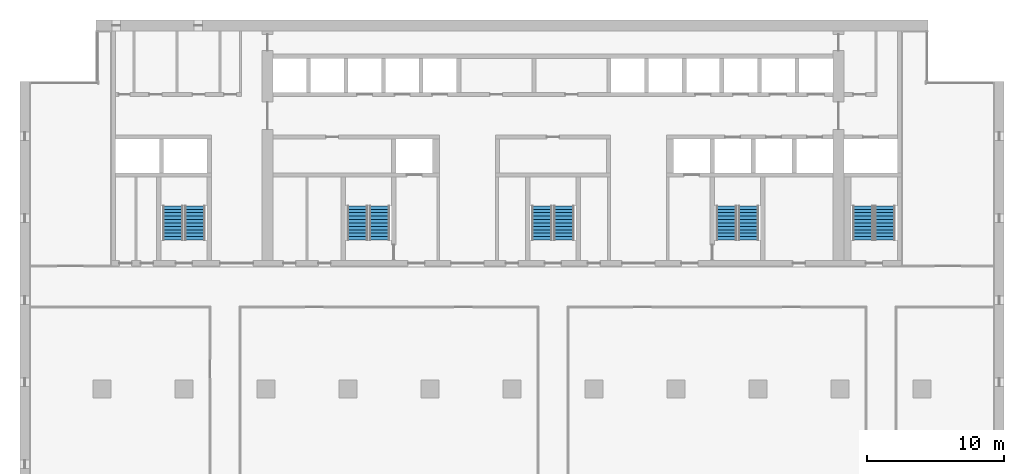
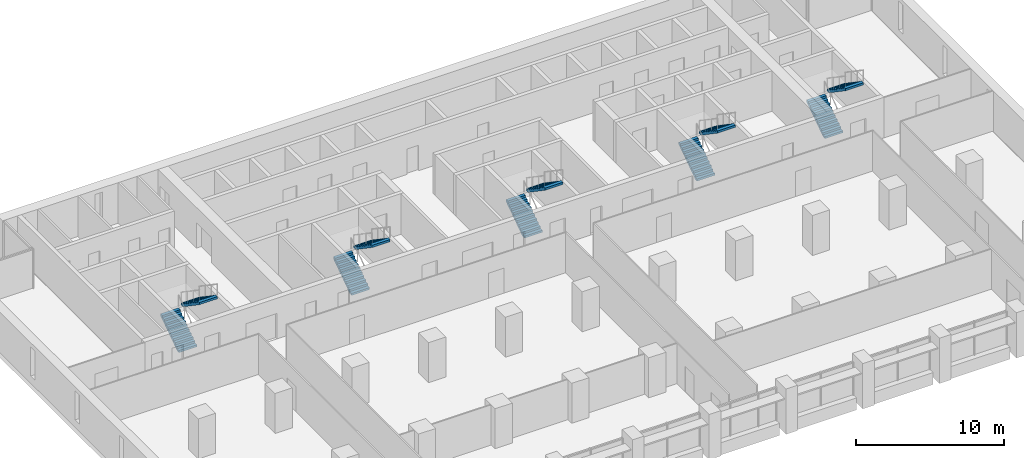
# One storey, part 12 of 15: 10 stair flights, 5 elements without a shape of their own.
"""IFC4 building model written with IfcOpenShell, lengths in metres."""

from ifc_helpers import new_model, si_unit, direction, frame, origin, place, context, subcontext, project, spatial, polyline, outline, extrude, material, type_object, element, aggregate, save


model = new_model("IFC4")

# Units and contexts
model_context = context("Model", 3, precision=1e-05, world=origin(), true_north=direction((0.0, 1.0)))
body_context = subcontext(model_context, "Body", "Model", "MODEL_VIEW")
ifc_project = project(units=[si_unit("LENGTHUNIT", "METRE"), si_unit("AREAUNIT", "SQUARE_METRE"), si_unit("VOLUMEUNIT", "CUBIC_METRE"), si_unit("PLANEANGLEUNIT", "RADIAN"), si_unit("MASSUNIT", "GRAM", prefix="KILO")], contexts=[model_context])

# Site, building, storey
site_placement = place(None, origin())
site = spatial("IfcSite", under=ifc_project, at=site_placement, CompositionType="ELEMENT")
building_placement = place(site_placement, origin())
building = spatial("IfcBuilding", under=site, at=building_placement, Name="Calvaro Tower", CompositionType="ELEMENT")
storey_placement = place(building_placement, frame((0.0, 0.0, 117.5)))
storey = spatial("IfcBuildingStorey", under=building, at=storey_placement, Name="L29", CompositionType="ELEMENT", Elevation=117.5)

# Stair, stair flights
ifc_material_1 = material(Name="Concrete C40/50", Category="concrete")
stair_type = type_object("IfcStairType", Name="Exit stair 1400 2 flights", PredefinedType="HALF_TURN_STAIR", material=ifc_material_1)
stair_1_placement = place(storey_placement, origin())
stair_1 = element("IfcStair", 1, at=stair_1_placement, inside=storey, type_object=stair_type, Name="Exit stair S1", PredefinedType="HALF_TURN_STAIR")
ifc_material_2 = material(Name="Concrete C40/50", Category="concrete")
stair_flight_type = type_object("IfcStairFlightType", Name="Stair flight", PredefinedType="STRAIGHT", material=ifc_material_2)
stair_flight_1_placement = place(storey_placement, frame((11.199951171875, 29.89990234375, 0.0), z_axis=(0.0, 0.0, 1.0), x_axis=(0.0, 1.0, 0.0)))
stair_flight_1 = element("IfcStairFlight", 2, at=stair_flight_1_placement, type_object=stair_flight_type, Name="Exit stair 1, flight 1", NumberOfRisers=11, NumberOfTreads=10, PredefinedType="STRAIGHT", RiserHeight=0.170454545, TreadLength=0.25, context=body_context, shape_type="SweptSolid", body=[
    extrude(outline(polyline([(0.0, 0.0), (0.0, 0.17041015625), (0.25, 0.17041015625), (0.25, 0.3408203125), (0.5, 0.3408203125), (0.5, 0.511474609375), (0.75, 0.511474609375), (0.75, 0.681884765625), (1.0, 0.681884765625), (1.0, 0.852294921875), (1.25, 0.852294921875), (1.25, 1.022705078125), (1.5, 1.022705078125), (1.5, 1.193115234375), (1.75, 1.193115234375), (1.75, 1.363525390625), (2.0, 1.363525390625), (2.0, 1.5341796875), (2.25, 1.5341796875), (2.25, 1.70458984375), (2.5, 1.70458984375), (2.5, 1.875), (2.5, 1.523193359375), (0.26611328125, 0.0), (0.0, 0.0)])), frame((0.0, 0.699951171875, 0.0), z_axis=(0.0, -1.0, 0.0), x_axis=(1.0, 0.0, 0.0)), (0.0, 0.0, 1.0), 1.39990234375),
])
stair_flight_2_placement = place(storey_placement, frame((12.800048828125, 32.39990234375, 1.875), z_axis=(0.0, 0.0, 1.0), x_axis=(0.0, -1.0, 0.0)))
stair_flight_2 = element("IfcStairFlight", 3, at=stair_flight_2_placement, type_object=stair_flight_type, Name="Exit stair 1, flight 2", NumberOfRisers=11, NumberOfTreads=10, PredefinedType="STRAIGHT", RiserHeight=0.170454545, TreadLength=0.25, context=body_context, shape_type="SweptSolid", body=[
    extrude(outline(polyline([(0.0, 0.0), (0.0, 0.17041015625), (0.25, 0.17041015625), (0.25, 0.3408203125), (0.5, 0.3408203125), (0.5, 0.511474609375), (0.75, 0.511474609375), (0.75, 0.681884765625), (1.0, 0.681884765625), (1.0, 0.852294921875), (1.25, 0.852294921875), (1.25, 1.022705078125), (1.5, 1.022705078125), (1.5, 1.193115234375), (1.75, 1.193115234375), (1.75, 1.363525390625), (2.0, 1.363525390625), (2.0, 1.5341796875), (2.25, 1.5341796875), (2.25, 1.70458984375), (2.5, 1.70458984375), (2.5, 1.875), (2.5, 1.523193359375), (0.26611328125, 0.0), (0.0, 0.0)])), frame((0.0, 0.699951171875, 0.0), z_axis=(0.0, -1.0, 0.0), x_axis=(1.0, 0.0, 0.0)), (0.0, 0.0, 1.0), 1.39990234375),
])
aggregate(stair_1, [stair_flight_1, stair_flight_2])

stair_2_placement = place(storey_placement, origin())
stair_2 = element("IfcStair", 4, at=stair_2_placement, inside=storey, type_object=stair_type, Name="Exit stair S2", PredefinedType="HALF_TURN_STAIR")
stair_flight_3_placement = place(storey_placement, frame((24.699951171875, 29.89990234375, 0.0), z_axis=(0.0, 0.0, 1.0), x_axis=(0.0, 1.0, 0.0)))
stair_flight_3 = element("IfcStairFlight", 5, at=stair_flight_3_placement, type_object=stair_flight_type, Name="Exit stair 2, flight 1", NumberOfRisers=11, NumberOfTreads=10, PredefinedType="STRAIGHT", RiserHeight=0.170454545, TreadLength=0.25, context=body_context, shape_type="SweptSolid", body=[
    extrude(outline(polyline([(0.0, 0.0), (0.0, 0.17041015625), (0.25, 0.17041015625), (0.25, 0.3408203125), (0.5, 0.3408203125), (0.5, 0.511474609375), (0.75, 0.511474609375), (0.75, 0.681884765625), (1.0, 0.681884765625), (1.0, 0.852294921875), (1.25, 0.852294921875), (1.25, 1.022705078125), (1.5, 1.022705078125), (1.5, 1.193115234375), (1.75, 1.193115234375), (1.75, 1.363525390625), (2.0, 1.363525390625), (2.0, 1.5341796875), (2.25, 1.5341796875), (2.25, 1.70458984375), (2.5, 1.70458984375), (2.5, 1.875), (2.5, 1.523193359375), (0.26611328125, 0.0), (0.0, 0.0)])), frame((0.0, 0.699951171875, 0.0), z_axis=(0.0, -1.0, 0.0), x_axis=(1.0, 0.0, 0.0)), (0.0, 0.0, 1.0), 1.39990234375),
])
stair_flight_4_placement = place(storey_placement, frame((26.300048828125, 32.39990234375, 1.875), z_axis=(0.0, 0.0, 1.0), x_axis=(0.0, -1.0, 0.0)))
stair_flight_4 = element("IfcStairFlight", 6, at=stair_flight_4_placement, type_object=stair_flight_type, Name="Exit stair 2, flight 2", NumberOfRisers=11, NumberOfTreads=10, PredefinedType="STRAIGHT", RiserHeight=0.170454545, TreadLength=0.25, context=body_context, shape_type="SweptSolid", body=[
    extrude(outline(polyline([(0.0, 0.0), (0.0, 0.17041015625), (0.25, 0.17041015625), (0.25, 0.3408203125), (0.5, 0.3408203125), (0.5, 0.511474609375), (0.75, 0.511474609375), (0.75, 0.681884765625), (1.0, 0.681884765625), (1.0, 0.852294921875), (1.25, 0.852294921875), (1.25, 1.022705078125), (1.5, 1.022705078125), (1.5, 1.193115234375), (1.75, 1.193115234375), (1.75, 1.363525390625), (2.0, 1.363525390625), (2.0, 1.5341796875), (2.25, 1.5341796875), (2.25, 1.70458984375), (2.5, 1.70458984375), (2.5, 1.875), (2.5, 1.523193359375), (0.26611328125, 0.0), (0.0, 0.0)])), frame((0.0, 0.699951171875, 0.0), z_axis=(0.0, -1.0, 0.0), x_axis=(1.0, 0.0, 0.0)), (0.0, 0.0, 1.0), 1.39990234375),
])
aggregate(stair_2, [stair_flight_3, stair_flight_4])

stair_3_placement = place(storey_placement, origin())
stair_3 = element("IfcStair", 7, at=stair_3_placement, inside=storey, type_object=stair_type, Name="Exit stair S3", PredefinedType="HALF_TURN_STAIR")
stair_flight_5_placement = place(storey_placement, frame((38.199951171875, 29.89990234375, 0.0), z_axis=(0.0, 0.0, 1.0), x_axis=(0.0, 1.0, 0.0)))
stair_flight_5 = element("IfcStairFlight", 8, at=stair_flight_5_placement, type_object=stair_flight_type, Name="Exit stair 3, flight 1", NumberOfRisers=11, NumberOfTreads=10, PredefinedType="STRAIGHT", RiserHeight=0.170454545, TreadLength=0.25, context=body_context, shape_type="SweptSolid", body=[
    extrude(outline(polyline([(0.0, 0.0), (0.0, 0.17041015625), (0.25, 0.17041015625), (0.25, 0.3408203125), (0.5, 0.3408203125), (0.5, 0.511474609375), (0.75, 0.511474609375), (0.75, 0.681884765625), (1.0, 0.681884765625), (1.0, 0.852294921875), (1.25, 0.852294921875), (1.25, 1.022705078125), (1.5, 1.022705078125), (1.5, 1.193115234375), (1.75, 1.193115234375), (1.75, 1.363525390625), (2.0, 1.363525390625), (2.0, 1.5341796875), (2.25, 1.5341796875), (2.25, 1.70458984375), (2.5, 1.70458984375), (2.5, 1.875), (2.5, 1.523193359375), (0.26611328125, 0.0), (0.0, 0.0)])), frame((0.0, 0.699951171875, 0.0), z_axis=(0.0, -1.0, 0.0), x_axis=(1.0, 0.0, 0.0)), (0.0, 0.0, 1.0), 1.39990234375),
])
stair_flight_6_placement = place(storey_placement, frame((39.800048828125, 32.39990234375, 1.875), z_axis=(0.0, 0.0, 1.0), x_axis=(0.0, -1.0, 0.0)))
stair_flight_6 = element("IfcStairFlight", 9, at=stair_flight_6_placement, type_object=stair_flight_type, Name="Exit stair 3, flight 2", NumberOfRisers=11, NumberOfTreads=10, PredefinedType="STRAIGHT", RiserHeight=0.170454545, TreadLength=0.25, context=body_context, shape_type="SweptSolid", body=[
    extrude(outline(polyline([(0.0, 0.0), (0.0, 0.17041015625), (0.25, 0.17041015625), (0.25, 0.3408203125), (0.5, 0.3408203125), (0.5, 0.511474609375), (0.75, 0.511474609375), (0.75, 0.681884765625), (1.0, 0.681884765625), (1.0, 0.852294921875), (1.25, 0.852294921875), (1.25, 1.022705078125), (1.5, 1.022705078125), (1.5, 1.193115234375), (1.75, 1.193115234375), (1.75, 1.363525390625), (2.0, 1.363525390625), (2.0, 1.5341796875), (2.25, 1.5341796875), (2.25, 1.70458984375), (2.5, 1.70458984375), (2.5, 1.875), (2.5, 1.523193359375), (0.26611328125, 0.0), (0.0, 0.0)])), frame((0.0, 0.699951171875, 0.0), z_axis=(0.0, -1.0, 0.0), x_axis=(1.0, 0.0, 0.0)), (0.0, 0.0, 1.0), 1.39990234375),
])
aggregate(stair_3, [stair_flight_5, stair_flight_6])

stair_4_placement = place(storey_placement, origin())
stair_4 = element("IfcStair", 10, at=stair_4_placement, inside=storey, type_object=stair_type, Name="Exit stair S4", PredefinedType="HALF_TURN_STAIR")
stair_flight_7_placement = place(storey_placement, frame((51.699951171875, 29.89990234375, 0.0), z_axis=(0.0, 0.0, 1.0), x_axis=(0.0, 1.0, 0.0)))
stair_flight_7 = element("IfcStairFlight", 11, at=stair_flight_7_placement, type_object=stair_flight_type, Name="Exit stair 4, flight 1", NumberOfRisers=11, NumberOfTreads=10, PredefinedType="STRAIGHT", RiserHeight=0.170454545, TreadLength=0.25, context=body_context, shape_type="SweptSolid", body=[
    extrude(outline(polyline([(0.0, 0.0), (0.0, 0.17041015625), (0.25, 0.17041015625), (0.25, 0.3408203125), (0.5, 0.3408203125), (0.5, 0.511474609375), (0.75, 0.511474609375), (0.75, 0.681884765625), (1.0, 0.681884765625), (1.0, 0.852294921875), (1.25, 0.852294921875), (1.25, 1.022705078125), (1.5, 1.022705078125), (1.5, 1.193115234375), (1.75, 1.193115234375), (1.75, 1.363525390625), (2.0, 1.363525390625), (2.0, 1.5341796875), (2.25, 1.5341796875), (2.25, 1.70458984375), (2.5, 1.70458984375), (2.5, 1.875), (2.5, 1.523193359375), (0.26611328125, 0.0), (0.0, 0.0)])), frame((0.0, 0.699951171875, 0.0), z_axis=(0.0, -1.0, 0.0), x_axis=(1.0, 0.0, 0.0)), (0.0, 0.0, 1.0), 1.39990234375),
])
stair_flight_8_placement = place(storey_placement, frame((53.300048828125, 32.39990234375, 1.875), z_axis=(0.0, 0.0, 1.0), x_axis=(0.0, -1.0, 0.0)))
stair_flight_8 = element("IfcStairFlight", 12, at=stair_flight_8_placement, type_object=stair_flight_type, Name="Exit stair 4, flight 2", NumberOfRisers=11, NumberOfTreads=10, PredefinedType="STRAIGHT", RiserHeight=0.170454545, TreadLength=0.25, context=body_context, shape_type="SweptSolid", body=[
    extrude(outline(polyline([(0.0, 0.0), (0.0, 0.17041015625), (0.25, 0.17041015625), (0.25, 0.3408203125), (0.5, 0.3408203125), (0.5, 0.511474609375), (0.75, 0.511474609375), (0.75, 0.681884765625), (1.0, 0.681884765625), (1.0, 0.852294921875), (1.25, 0.852294921875), (1.25, 1.022705078125), (1.5, 1.022705078125), (1.5, 1.193115234375), (1.75, 1.193115234375), (1.75, 1.363525390625), (2.0, 1.363525390625), (2.0, 1.5341796875), (2.25, 1.5341796875), (2.25, 1.70458984375), (2.5, 1.70458984375), (2.5, 1.875), (2.5, 1.523193359375), (0.26611328125, 0.0), (0.0, 0.0)])), frame((0.0, 0.699951171875, 0.0), z_axis=(0.0, -1.0, 0.0), x_axis=(1.0, 0.0, 0.0)), (0.0, 0.0, 1.0), 1.39990234375),
])
aggregate(stair_4, [stair_flight_7, stair_flight_8])

stair_5_placement = place(storey_placement, origin())
stair_5 = element("IfcStair", 13, at=stair_5_placement, inside=storey, type_object=stair_type, Name="Exit stair S5", PredefinedType="HALF_TURN_STAIR")
stair_flight_9_placement = place(storey_placement, frame((61.699951171875, 29.89990234375, 0.0), z_axis=(0.0, 0.0, 1.0), x_axis=(0.0, 1.0, 0.0)))
stair_flight_9 = element("IfcStairFlight", 14, at=stair_flight_9_placement, type_object=stair_flight_type, Name="Exit stair 5, flight 1", NumberOfRisers=11, NumberOfTreads=10, PredefinedType="STRAIGHT", RiserHeight=0.170454545, TreadLength=0.25, context=body_context, shape_type="SweptSolid", body=[
    extrude(outline(polyline([(0.0, 0.0), (0.0, 0.17041015625), (0.25, 0.17041015625), (0.25, 0.3408203125), (0.5, 0.3408203125), (0.5, 0.511474609375), (0.75, 0.511474609375), (0.75, 0.681884765625), (1.0, 0.681884765625), (1.0, 0.852294921875), (1.25, 0.852294921875), (1.25, 1.022705078125), (1.5, 1.022705078125), (1.5, 1.193115234375), (1.75, 1.193115234375), (1.75, 1.363525390625), (2.0, 1.363525390625), (2.0, 1.5341796875), (2.25, 1.5341796875), (2.25, 1.70458984375), (2.5, 1.70458984375), (2.5, 1.875), (2.5, 1.523193359375), (0.26611328125, 0.0), (0.0, 0.0)])), frame((0.0, 0.699951171875, 0.0), z_axis=(0.0, -1.0, 0.0), x_axis=(1.0, 0.0, 0.0)), (0.0, 0.0, 1.0), 1.39990234375),
])
stair_flight_10_placement = place(storey_placement, frame((63.300048828125, 32.39990234375, 1.875), z_axis=(0.0, 0.0, 1.0), x_axis=(0.0, -1.0, 0.0)))
stair_flight_10 = element("IfcStairFlight", 15, at=stair_flight_10_placement, type_object=stair_flight_type, Name="Exit stair 5, flight 2", NumberOfRisers=11, NumberOfTreads=10, PredefinedType="STRAIGHT", RiserHeight=0.170454545, TreadLength=0.25, context=body_context, shape_type="SweptSolid", body=[
    extrude(outline(polyline([(0.0, 0.0), (0.0, 0.17041015625), (0.25, 0.17041015625), (0.25, 0.3408203125), (0.5, 0.3408203125), (0.5, 0.511474609375), (0.75, 0.511474609375), (0.75, 0.681884765625), (1.0, 0.681884765625), (1.0, 0.852294921875), (1.25, 0.852294921875), (1.25, 1.022705078125), (1.5, 1.022705078125), (1.5, 1.193115234375), (1.75, 1.193115234375), (1.75, 1.363525390625), (2.0, 1.363525390625), (2.0, 1.5341796875), (2.25, 1.5341796875), (2.25, 1.70458984375), (2.5, 1.70458984375), (2.5, 1.875), (2.5, 1.523193359375), (0.26611328125, 0.0), (0.0, 0.0)])), frame((0.0, 0.699951171875, 0.0), z_axis=(0.0, -1.0, 0.0), x_axis=(1.0, 0.0, 0.0)), (0.0, 0.0, 1.0), 1.39990234375),
])
aggregate(stair_5, [stair_flight_9, stair_flight_10])

save(model, "model.ifc")
